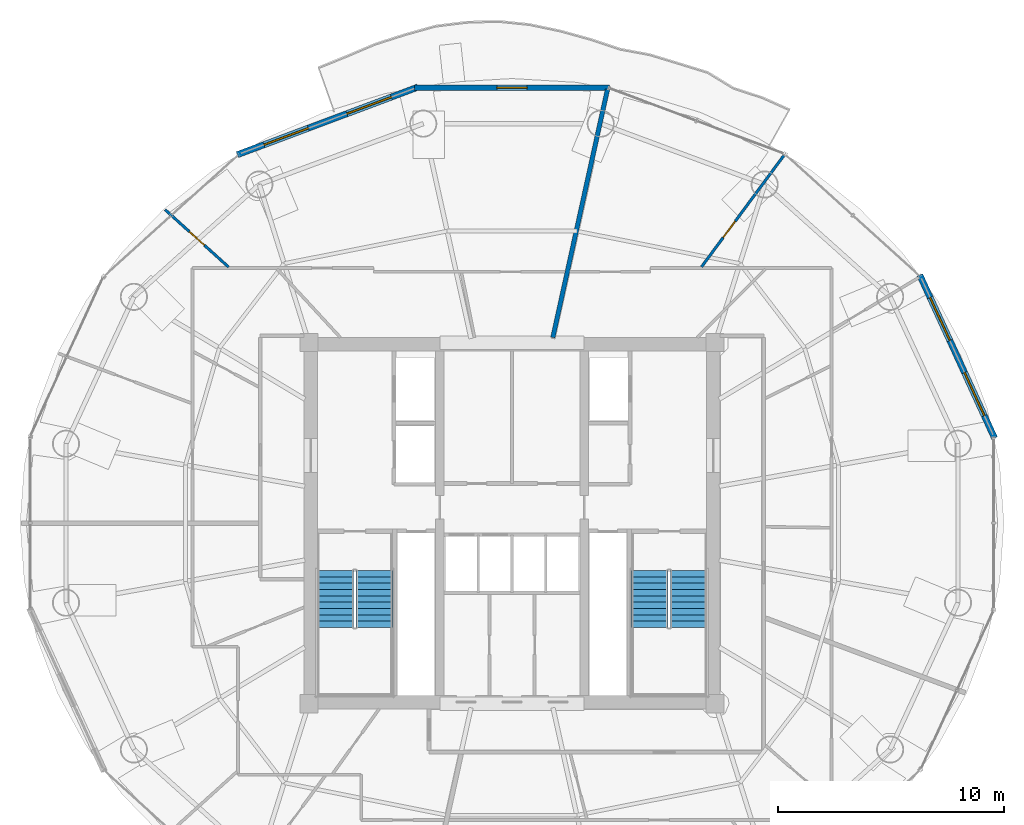
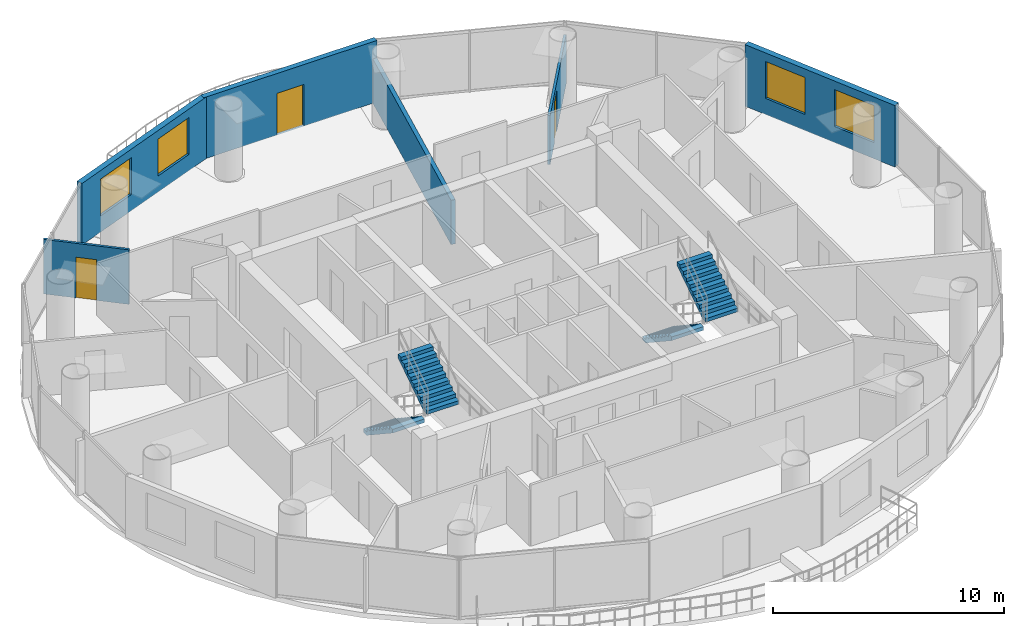
# One storey, part 23 of 26: 6 walls, 4 stair flights, 4 windows, 3 doors, 7 openings, 2 elements without a shape of their own.
"""IFC4 building model written with IfcOpenShell, lengths in metres."""

from ifc_helpers import new_model, si_unit, direction, frame, frame_2d, origin, place, context, subcontext, project, spatial, polyline, rectangle, outline, extrude, source, transform, mapped, material, layer, layer_set, type_object, element, fill, aggregate, save


model = new_model("IFC4")

# Units and contexts
model_context = context("Model", 3, precision=1e-05, world=origin(), true_north=direction((-0.2419218956, 0.970295726276)))
body_context = subcontext(model_context, "Body", "Model", "MODEL_VIEW")
ifc_project = project(units=[si_unit("LENGTHUNIT", "METRE"), si_unit("AREAUNIT", "SQUARE_METRE"), si_unit("VOLUMEUNIT", "CUBIC_METRE"), si_unit("PLANEANGLEUNIT", "RADIAN"), si_unit("MASSUNIT", "GRAM", prefix="KILO")], contexts=[model_context])

# Site, building, storey
site_placement = place(None, origin())
site = spatial("IfcSite", under=ifc_project, at=site_placement, CompositionType="ELEMENT")
building_placement = place(site_placement, origin())
building = spatial("IfcBuilding", under=site, at=building_placement, Name="Cobrevalo Terracotta Tower", CompositionType="ELEMENT")
storey_placement = place(building_placement, frame((0.0, 0.0, 239.300048828125)))
storey = spatial("IfcBuildingStorey", under=building, at=storey_placement, Name="L63", CompositionType="ELEMENT", Elevation=239.300048828125)

# Wall
ifc_material_1 = material(Name="Autoclaved aerated concrete block", Category="concrete")
ifc_layer_1 = layer(ifc_material_1, 0.199951171875)
ifc_layer_set_1 = layer_set([ifc_layer_1], Name="Autoclaved aerated concrete block")
wall_type_1 = type_object("IfcWallType", Name="Fire-rated stair, shaft & demising masonry wall 200 mm", PredefinedType="PARTITIONING", material=ifc_layer_set_1)
wall_1_placement = place(storey_placement, frame((39.810791015625, 35.02685546875, 0.0), z_axis=(0.0, 0.0, 1.0), x_axis=(0.214966857327, 0.976621344356, 0.0)))
element("IfcWall", 1, at=wall_1_placement, inside=storey, type_object=wall_type_1, Name="L63 interior partition IW-L63-DEM-2", PredefinedType="PARTITIONING", context=body_context, shape_type="SweptSolid", body=[
    extrude(rectangle(XDim=11.25830078125, YDim=0.199951171875, at=frame_2d((5.629150390625, 0.0))), origin(), (0.0, 0.0, 1.0), 2.33984375),
])

# Wall, openings, windows
ifc_layer_2 = layer(ifc_material_1, 0.280029296875)
ifc_layer_set_2 = layer_set([ifc_layer_2], Name="Autoclaved aerated concrete block")
wall_type_2 = type_object("IfcWallType", Name="Insulated tower spandrel & pier wall 280 mm with terracotta rainscreen", PredefinedType="SOLIDWALL", material=ifc_layer_set_2)
wall_2_placement = place(storey_placement, frame((59.385009765625, 30.564697265625, 0.0), z_axis=(0.0, 0.0, 1.0), x_axis=(-0.416717018135, 0.909036262641, 0.0)))
wall_2 = element("IfcWall", 2, at=wall_2_placement, inside=storey, type_object=wall_type_2, Name="L63 terracotta rainscreen pier wall S01", PredefinedType="SOLIDWALL", context=body_context, shape_type="SweptSolid", body=[
    extrude(rectangle(XDim=7.960205078125, YDim=0.280029296875, at=frame_2d((3.97998046875, 0.0))), origin(), (0.0, 0.0, 1.0), 3.25),
])
opening_1_placement = place(wall_2_placement, frame((1.099365234375, 0.0, 0.85009765625)))
opening_1 = element("IfcOpeningElement", 3, at=opening_1_placement, cuts=wall_2, Name="Opening WN-10", PredefinedType="OPENING", context=body_context, shape_type="SweptSolid", body=[
    extrude(rectangle(XDim=2.10009765625, YDim=1.949951171875, at=frame_2d((1.050048828125, 0.97509765625))), frame((0.0, 0.14990234375, 0.0), z_axis=(0.0, -1.0, 0.0), x_axis=(1.0, 0.0, 0.0)), (0.0, 0.0, 1.0), 0.300048828125),
])
opening_2_placement = place(wall_2_placement, frame((4.760986328125, 0.0, 0.85009765625)))
opening_2 = element("IfcOpeningElement", 4, at=opening_2_placement, cuts=wall_2, Name="Opening WN-10", PredefinedType="OPENING", context=body_context, shape_type="SweptSolid", body=[
    extrude(rectangle(XDim=2.10009765625, YDim=1.949951171875, at=frame_2d((1.050048828125, 0.97509765625))), frame((0.0, 0.14990234375, 0.0), z_axis=(0.0, -1.0, 0.0), x_axis=(1.0, 0.0, 0.0)), (0.0, 0.0, 1.0), 0.300048828125),
])
ifc_material_2 = material(Name="Solar-control low-E double glazing", Category="glass")
window_type = type_object("IfcWindowType", Name="Wide panoramic low-E aluminium window 2100x1950", PartitioningType="SINGLE_PANEL", PredefinedType="WINDOW", material=ifc_material_2)
shared_shape_1 = source(origin(), body_context, "Body", "SweptSolid", [
    extrude(rectangle(XDim=2.10009765625, YDim=1.949951171875, at=frame_2d((1.050048828125, 0.97509765625))), frame((0.0, 0.030029296875, 0.0), z_axis=(0.0, -1.0, 0.0), x_axis=(1.0, 0.0, 0.0)), (0.0, 0.0, 1.0), 0.06005859375),
])
window_1_placement = place(opening_1_placement, origin())
window_1 = element("IfcWindow", 5, at=window_1_placement, inside=storey, type_object=window_type, Name="L63 suite window S01A", OverallHeight=1.949951171875, OverallWidth=2.10009765625, PartitioningType="SINGLE_PANEL", PredefinedType="WINDOW", context=body_context, shape_type="MappedRepresentation", body=[
    mapped(shared_shape_1, transform((0.0, 0.0, 0.0), scale=1.0)),
])
fill(opening_1, window_1)
window_2_placement = place(opening_2_placement, origin())
window_2 = element("IfcWindow", 6, at=window_2_placement, inside=storey, type_object=window_type, Name="L63 suite window S01B", OverallHeight=1.949951171875, OverallWidth=2.10009765625, PartitioningType="SINGLE_PANEL", PredefinedType="WINDOW", context=body_context, shape_type="MappedRepresentation", body=[
    mapped(shared_shape_1, transform((0.0, 0.0, 0.0), scale=1.0)),
])
fill(opening_2, window_2)

wall_3_placement = place(storey_placement, frame((33.827880859375, 46.1201171875, 0.0), z_axis=(0.0, 0.0, 1.0), x_axis=(-0.936556918375, -0.350515532672, 0.0)))
wall_3 = element("IfcWall", 7, at=wall_3_placement, inside=storey, type_object=wall_type_2, Name="L63 terracotta rainscreen pier wall S05", PredefinedType="SOLIDWALL", context=body_context, shape_type="SweptSolid", body=[
    extrude(rectangle(XDim=8.539306640625, YDim=0.280029296875, at=frame_2d((4.26953125, 0.0))), origin(), (0.0, 0.0, 1.0), 3.25),
])
opening_3_placement = place(wall_3_placement, frame((1.255615234375, 0.0, 0.85009765625)))
opening_3 = element("IfcOpeningElement", 8, at=opening_3_placement, cuts=wall_3, Name="Opening WN-10", PredefinedType="OPENING", context=body_context, shape_type="SweptSolid", body=[
    extrude(rectangle(XDim=2.10009765625, YDim=1.949951171875, at=frame_2d((1.050048828125, 0.97509765625))), frame((0.0, 0.14990234375, 0.0), z_axis=(0.0, -1.0, 0.0), x_axis=(1.0, 0.0, 0.0)), (0.0, 0.0, 1.0), 0.300048828125),
])
opening_4_placement = place(wall_3_placement, frame((5.18359375, 0.0, 0.85009765625)))
opening_4 = element("IfcOpeningElement", 9, at=opening_4_placement, cuts=wall_3, Name="Opening WN-10", PredefinedType="OPENING", context=body_context, shape_type="SweptSolid", body=[
    extrude(rectangle(XDim=2.10009765625, YDim=1.949951171875, at=frame_2d((1.050048828125, 0.97509765625))), frame((0.0, 0.14990234375, 0.0), z_axis=(0.0, -1.0, 0.0), x_axis=(1.0, 0.0, 0.0)), (0.0, 0.0, 1.0), 0.300048828125),
])
window_3_placement = place(opening_3_placement, origin())
window_3 = element("IfcWindow", 10, at=window_3_placement, inside=storey, type_object=window_type, Name="L63 suite window S05A", OverallHeight=1.949951171875, OverallWidth=2.10009765625, PartitioningType="SINGLE_PANEL", PredefinedType="WINDOW", context=body_context, shape_type="MappedRepresentation", body=[
    mapped(shared_shape_1, transform((0.0, 0.0, 0.0), scale=1.0)),
])
fill(opening_3, window_3)
window_4_placement = place(opening_4_placement, origin())
window_4 = element("IfcWindow", 11, at=window_4_placement, inside=storey, type_object=window_type, Name="L63 suite window S05B", OverallHeight=1.949951171875, OverallWidth=2.10009765625, PartitioningType="SINGLE_PANEL", PredefinedType="WINDOW", context=body_context, shape_type="MappedRepresentation", body=[
    mapped(shared_shape_1, transform((0.0, 0.0, 0.0), scale=1.0)),
])
fill(opening_4, window_4)

# Wall, opening, door
ifc_layer_3 = layer(ifc_material_1, 0.260009765625)
ifc_layer_set_3 = layer_set([ifc_layer_3], Name="Autoclaved aerated concrete block")
wall_type_3 = type_object("IfcWallType", Name="Recessed balcony loggia insulated exterior wall 260 mm", PredefinedType="SOLIDWALL", material=ifc_layer_set_3)
wall_4_placement = place(storey_placement, frame((42.3271484375, 46.092041015625, 0.0), z_axis=(0.0, 0.0, 1.0), x_axis=(-1.0, 0.0, 0.0)))
wall_4 = element("IfcWall", 12, at=wall_4_placement, inside=storey, type_object=wall_type_3, Name="L63 balcony loggia wall S04", PredefinedType="SOLIDWALL", context=body_context, shape_type="SweptSolid", body=[
    extrude(rectangle(XDim=8.654296875, YDim=0.260009765625, at=frame_2d((4.3271484375, 0.0))), origin(), (0.0, 0.0, 1.0), 3.25),
])
opening_5_placement = place(wall_4_placement, frame((3.652099609375, 0.0, 0.0)))
opening_5 = element("IfcOpeningElement", 13, at=opening_5_placement, cuts=wall_4, Name="Opening ED-05", PredefinedType="OPENING", context=body_context, shape_type="SweptSolid", body=[
    extrude(rectangle(XDim=1.35009765625, YDim=2.199951171875, at=frame_2d((0.675048828125, 1.10009765625))), frame((0.0, 0.14013671875, 0.0), z_axis=(0.0, -1.0, 0.0), x_axis=(1.0, 0.0, 0.0)), (0.0, 0.0, 1.0), 0.280029296875),
])
ifc_material_3 = material(Name="Anodized aluminium and laminated glass", Category="aluminium")
door_type_1 = type_object("IfcDoorType", Name="Suite balcony acoustic glazed terrace door 1350x2200", OperationType="NOTDEFINED", PredefinedType="DOOR", material=ifc_material_3)
shared_shape_2 = source(origin(), body_context, "Body", "SweptSolid", [
    extrude(rectangle(XDim=1.35009765625, YDim=2.199951171875, at=frame_2d((0.675048828125, 1.10009765625))), frame((0.0, 0.02490234375, 0.0), z_axis=(0.0, -1.0, 0.0), x_axis=(1.0, 0.0, 0.0)), (0.0, 0.0, 1.0), 0.050048828125),
])
door_1_placement = place(opening_5_placement, frame((1.35009765625, 0.0, 0.0), z_axis=(0.0, 0.0, 1.0), x_axis=(-1.0, 0.0, 0.0)))
door_1 = element("IfcDoor", 14, at=door_1_placement, inside=storey, type_object=door_type_1, Name="L63 glazed balcony terrace door 1", OperationType="SINGLE_SWING_LEFT", OverallHeight=2.199951171875, OverallWidth=1.35009765625, PredefinedType="DOOR", context=body_context, shape_type="MappedRepresentation", body=[
    mapped(shared_shape_2, transform((0.0, 0.0, 0.0), scale=1.0)),
])
fill(opening_5, door_1)

ifc_material_4 = material(Name="Gypsum board on steel stud", Category="steel")
ifc_layer_4 = layer(ifc_material_4, 0.1201171875)
ifc_layer_set_4 = layer_set([ifc_layer_4], Name="Gypsum board on steel stud")
wall_type_4 = type_object("IfcWallType", Name="Residential internal acoustic stud partition 120 mm", PredefinedType="PARTITIONING", material=ifc_layer_set_4)
wall_5_placement = place(storey_placement, frame((46.395751953125, 38.15478515625, 0.0), z_axis=(0.0, 0.0, 1.0), x_axis=(0.594526205526, 0.804076234535, 0.0)))
wall_5 = element("IfcWall", 15, at=wall_5_placement, inside=storey, type_object=wall_type_4, Name="L63 interior partition IW-L63-U1-ORAD2M1", PredefinedType="PARTITIONING", context=body_context, shape_type="SweptSolid", body=[
    extrude(rectangle(XDim=6.145751953125, YDim=0.1201171875, at=frame_2d((3.07275390625, 0.0))), origin(), (0.0, 0.0, 1.0), 2.599853515625),
])
opening_6_placement = place(wall_5_placement, frame((1.615234375, 0.0, 0.0)))
opening_6 = element("IfcOpeningElement", 16, at=opening_6_placement, cuts=wall_5, Name="Opening ID-12", PredefinedType="OPENING", context=body_context, shape_type="SweptSolid", body=[
    extrude(rectangle(XDim=0.89990234375, YDim=2.14990234375, at=frame_2d((0.449951171875, 1.074951171875))), frame((0.0, 0.070068359375, 0.0), z_axis=(0.0, -1.0, 0.0), x_axis=(1.0, 0.0, 0.0)), (0.0, 0.0, 1.0), 0.14013671875),
])
ifc_material_5 = material(Name="Engineered timber", Category="wood")
door_type_2 = type_object("IfcDoorType", Name="Internal residence & suite timber door 900x2150", OperationType="NOTDEFINED", PredefinedType="DOOR", material=ifc_material_5)
shared_shape_3 = source(origin(), body_context, "Body", "SweptSolid", [
    extrude(rectangle(XDim=0.89990234375, YDim=2.14990234375, at=frame_2d((0.449951171875, 1.074951171875))), frame((0.0, 0.02490234375, 0.0), z_axis=(0.0, -1.0, 0.0), x_axis=(1.0, 0.0, 0.0)), (0.0, 0.0, 1.0), 0.050048828125),
])
door_2_placement = place(opening_6_placement, origin())
door_2 = element("IfcDoor", 17, at=door_2_placement, inside=storey, type_object=door_type_2, Name="Flat L63A Penthouse Family Lounge internal door", OperationType="SINGLE_SWING_RIGHT", OverallHeight=2.14990234375, OverallWidth=0.89990234375, PredefinedType="DOOR", context=body_context, shape_type="MappedRepresentation", body=[
    mapped(shared_shape_3, transform((0.0, 0.0, 0.0), scale=1.0)),
])
fill(opening_6, door_2)

wall_6_placement = place(storey_placement, frame((25.44384765625, 38.146484375, 0.0), z_axis=(0.0, 0.0, 1.0), x_axis=(-0.741941434687, 0.670464695189, 0.0)))
wall_6 = element("IfcWall", 18, at=wall_6_placement, inside=storey, type_object=wall_type_4, Name="L63 interior partition IW-L63-U2-ORAD1", PredefinedType="PARTITIONING", context=body_context, shape_type="SweptSolid", body=[
    extrude(rectangle(XDim=3.79150390625, YDim=0.1201171875, at=frame_2d((1.895751953125, 0.0))), origin(), (0.0, 0.0, 1.0), 2.880859375),
])
opening_7_placement = place(wall_6_placement, frame((1.44580078125, 0.0, 0.0)))
opening_7 = element("IfcOpeningElement", 19, at=opening_7_placement, cuts=wall_6, Name="Opening ID-12", PredefinedType="OPENING", context=body_context, shape_type="SweptSolid", body=[
    extrude(rectangle(XDim=0.89990234375, YDim=2.14990234375, at=frame_2d((0.449951171875, 1.074951171875))), frame((0.0, 0.070068359375, 0.0), z_axis=(0.0, -1.0, 0.0), x_axis=(1.0, 0.0, 0.0)), (0.0, 0.0, 1.0), 0.14013671875),
])
door_3_placement = place(opening_7_placement, frame((0.89990234375, 0.0, 0.0), z_axis=(0.0, 0.0, 1.0), x_axis=(-1.0, 0.0, 0.0)))
door_3 = element("IfcDoor", 20, at=door_3_placement, inside=storey, type_object=door_type_2, Name="Flat L63B Penthouse Living and Dining Room internal door", OperationType="SINGLE_SWING_RIGHT", OverallHeight=2.14990234375, OverallWidth=0.89990234375, PredefinedType="DOOR", context=body_context, shape_type="MappedRepresentation", body=[
    mapped(shared_shape_3, transform((0.0, 0.0, 0.0), scale=1.0)),
])
fill(opening_7, door_3)

# Stair, stair flights
ifc_material_6 = material(Name="Concrete C50", Category="concrete")
stair_type = type_object("IfcStairType", Name="Core protected escape dogleg stair 1600", PredefinedType="HALF_TURN_STAIR", material=ifc_material_6)
stair_1_placement = place(storey_placement, origin())
stair_1 = element("IfcStair", 21, at=stair_1_placement, inside=storey, type_object=stair_type, Name="L63 Protected exit stair ST-1", PredefinedType="HALF_TURN_STAIR")
stair_flight_type = type_object("IfcStairFlightType", Name="Core protected escape dogleg stair 1600 flight", PredefinedType="STRAIGHT", material=ifc_material_6)
stair_flight_1_placement = place(storey_placement, frame((30.175048828125, 24.699951171875, 0.0), z_axis=(0.0, 0.0, 1.0), x_axis=(0.0, -1.0, 0.0)))
stair_flight_1 = element("IfcStairFlight", 22, at=stair_flight_1_placement, type_object=stair_flight_type, Name="ST-1 flight 1", NumberOfRisers=10, NumberOfTreads=9, PredefinedType="STRAIGHT", RiserHeight=0.185, TreadLength=0.28, context=body_context, shape_type="SweptSolid", body=[
    extrude(outline(polyline([(0.0, 0.0), (0.0, 0.18505859375), (0.280029296875, 0.18505859375), (0.280029296875, 0.3701171875), (0.56005859375, 0.3701171875), (0.56005859375, 0.554931640625), (0.840087890625, 0.554931640625), (0.840087890625, 0.739990234375), (1.1201171875, 0.739990234375), (1.1201171875, 0.925048828125), (1.39990234375, 0.925048828125), (1.39990234375, 1.110107421875), (1.679931640625, 1.110107421875), (1.679931640625, 1.294921875), (1.9599609375, 1.294921875), (1.9599609375, 1.47998046875), (2.239990234375, 1.47998046875), (2.239990234375, 1.6650390625), (2.52001953125, 1.6650390625), (2.52001953125, 1.85009765625), (2.52001953125, 1.473388671875), (0.2900390625, 0.0), (0.0, 0.0)])), frame((0.0, 0.800048828125, 0.0), z_axis=(0.0, -1.0, 0.0), x_axis=(1.0, 0.0, 0.0)), (0.0, 0.0, 1.0), 1.60009765625),
])
stair_flight_2_placement = place(storey_placement, frame((31.89501953125, 22.179931640625, 1.849853515625), z_axis=(0.0, 0.0, 1.0), x_axis=(0.0, 1.0, 0.0)))
stair_flight_2 = element("IfcStairFlight", 23, at=stair_flight_2_placement, type_object=stair_flight_type, Name="ST-1 flight 2", NumberOfRisers=10, NumberOfTreads=9, PredefinedType="STRAIGHT", RiserHeight=0.185, TreadLength=0.28, context=body_context, shape_type="SweptSolid", body=[
    extrude(outline(polyline([(0.0, 0.0), (0.0, 0.18505859375), (0.280029296875, 0.18505859375), (0.280029296875, 0.3701171875), (0.56005859375, 0.3701171875), (0.56005859375, 0.554931640625), (0.840087890625, 0.554931640625), (0.840087890625, 0.739990234375), (1.1201171875, 0.739990234375), (1.1201171875, 0.925048828125), (1.39990234375, 0.925048828125), (1.39990234375, 1.110107421875), (1.679931640625, 1.110107421875), (1.679931640625, 1.294921875), (1.9599609375, 1.294921875), (1.9599609375, 1.47998046875), (2.239990234375, 1.47998046875), (2.239990234375, 1.6650390625), (2.52001953125, 1.6650390625), (2.52001953125, 1.85009765625), (2.52001953125, 1.473388671875), (0.2900390625, 0.0), (0.0, 0.0)])), frame((0.0, 0.800048828125, 0.0), z_axis=(0.0, -1.0, 0.0), x_axis=(1.0, 0.0, 0.0)), (0.0, 0.0, 1.0), 1.60009765625),
])
aggregate(stair_1, [stair_flight_1, stair_flight_2])

stair_2_placement = place(storey_placement, origin())
stair_2 = element("IfcStair", 24, at=stair_2_placement, inside=storey, type_object=stair_type, Name="L63 Protected exit stair ST-2", PredefinedType="HALF_TURN_STAIR")
stair_flight_3_placement = place(storey_placement, frame((44.10498046875, 24.699951171875, 0.0), z_axis=(0.0, 0.0, 1.0), x_axis=(0.0, -1.0, 0.0)))
stair_flight_3 = element("IfcStairFlight", 25, at=stair_flight_3_placement, type_object=stair_flight_type, Name="ST-2 flight 1", NumberOfRisers=10, NumberOfTreads=9, PredefinedType="STRAIGHT", RiserHeight=0.185, TreadLength=0.28, context=body_context, shape_type="SweptSolid", body=[
    extrude(outline(polyline([(0.0, 0.0), (0.0, 0.18505859375), (0.280029296875, 0.18505859375), (0.280029296875, 0.3701171875), (0.56005859375, 0.3701171875), (0.56005859375, 0.554931640625), (0.840087890625, 0.554931640625), (0.840087890625, 0.739990234375), (1.1201171875, 0.739990234375), (1.1201171875, 0.925048828125), (1.39990234375, 0.925048828125), (1.39990234375, 1.110107421875), (1.679931640625, 1.110107421875), (1.679931640625, 1.294921875), (1.9599609375, 1.294921875), (1.9599609375, 1.47998046875), (2.239990234375, 1.47998046875), (2.239990234375, 1.6650390625), (2.52001953125, 1.6650390625), (2.52001953125, 1.85009765625), (2.52001953125, 1.473388671875), (0.2900390625, 0.0), (0.0, 0.0)])), frame((0.0, 0.800048828125, 0.0), z_axis=(0.0, -1.0, 0.0), x_axis=(1.0, 0.0, 0.0)), (0.0, 0.0, 1.0), 1.60009765625),
])
stair_flight_4_placement = place(storey_placement, frame((45.824951171875, 22.179931640625, 1.849853515625), z_axis=(0.0, 0.0, 1.0), x_axis=(0.0, 1.0, 0.0)))
stair_flight_4 = element("IfcStairFlight", 26, at=stair_flight_4_placement, type_object=stair_flight_type, Name="ST-2 flight 2", NumberOfRisers=10, NumberOfTreads=9, PredefinedType="STRAIGHT", RiserHeight=0.185, TreadLength=0.28, context=body_context, shape_type="SweptSolid", body=[
    extrude(outline(polyline([(0.0, 0.0), (0.0, 0.18505859375), (0.280029296875, 0.18505859375), (0.280029296875, 0.3701171875), (0.56005859375, 0.3701171875), (0.56005859375, 0.554931640625), (0.840087890625, 0.554931640625), (0.840087890625, 0.739990234375), (1.1201171875, 0.739990234375), (1.1201171875, 0.925048828125), (1.39990234375, 0.925048828125), (1.39990234375, 1.110107421875), (1.679931640625, 1.110107421875), (1.679931640625, 1.294921875), (1.9599609375, 1.294921875), (1.9599609375, 1.47998046875), (2.239990234375, 1.47998046875), (2.239990234375, 1.6650390625), (2.52001953125, 1.6650390625), (2.52001953125, 1.85009765625), (2.52001953125, 1.473388671875), (0.2900390625, 0.0), (0.0, 0.0)])), frame((0.0, 0.800048828125, 0.0), z_axis=(0.0, -1.0, 0.0), x_axis=(1.0, 0.0, 0.0)), (0.0, 0.0, 1.0), 1.60009765625),
])
aggregate(stair_2, [stair_flight_3, stair_flight_4])

save(model, "model.ifc")
